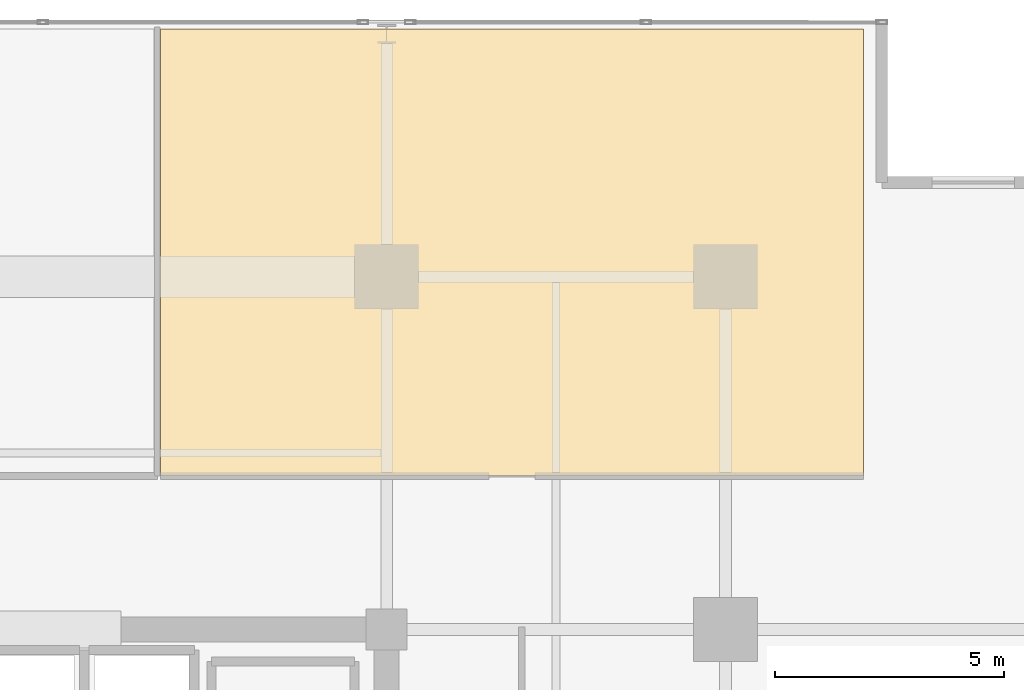
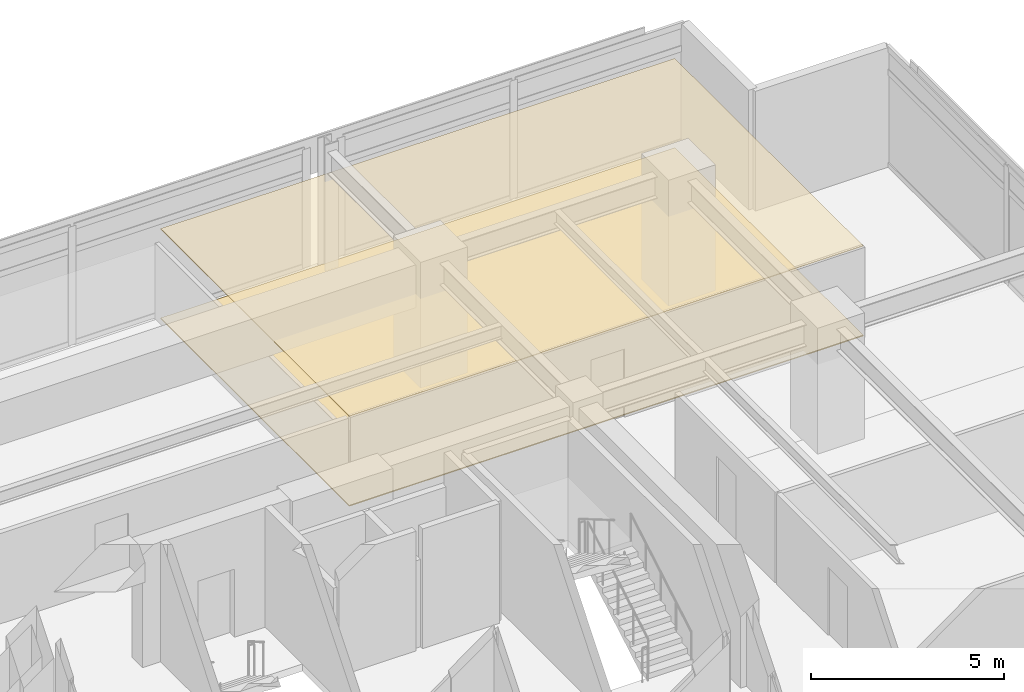
# One storey, part 22 of 22: 2 coverings.
"""IFC4 building model written with IfcOpenShell, lengths in metres."""

from ifc_helpers import new_model, si_unit, direction, frame, origin, place, context, subcontext, project, spatial, polyline, outline, extrude, material, layer, layer_set, type_object, element, save


model = new_model("IFC4")

# Units and contexts
model_context = context("Model", 3, precision=1e-05, world=origin(), true_north=direction((0.0, 1.0)))
body_context = subcontext(model_context, "Body", "Model", "MODEL_VIEW")
ifc_project = project(units=[si_unit("LENGTHUNIT", "METRE"), si_unit("AREAUNIT", "SQUARE_METRE"), si_unit("VOLUMEUNIT", "CUBIC_METRE"), si_unit("PLANEANGLEUNIT", "RADIAN"), si_unit("MASSUNIT", "GRAM", prefix="KILO")], contexts=[model_context])

# Site, building, storey
site_placement = place(None, origin())
site = spatial("IfcSite", under=ifc_project, at=site_placement, CompositionType="ELEMENT")
building_placement = place(site_placement, origin())
building = spatial("IfcBuilding", under=site, at=building_placement, Name="Kovane Verandah Tower", CompositionType="ELEMENT")
storey_placement = place(building_placement, frame((0.0, 0.0, 225.199951171875)))
storey = spatial("IfcBuildingStorey", under=building, at=storey_placement, Name="L52", CompositionType="ELEMENT", Elevation=225.199951171875)

# Coverings
ifc_material_1 = material(Name="Perforated Acoustic Mineral-Fibre Ceiling Tile", Category="gypsum")
ifc_layer_1 = layer(ifc_material_1, 0.02490234375)
ifc_layer_set_1 = layer_set([ifc_layer_1], Name="Perforated Acoustic Mineral-Fibre Ceiling Tile")
covering_type_1 = type_object("IfcCoveringType", Name="CV-CEIL-25", PredefinedType="CEILING", material=ifc_layer_set_1)
covering_1_placement = place(storey_placement, frame((0.0, 0.0, 2.824951171875)))
element("IfcCovering", 1, at=covering_1_placement, inside=storey, type_object=covering_type_1, Name="L52 Focus Studio N3 Acoustic Ceiling", PredefinedType="CEILING", context=body_context, shape_type="SweptSolid", body=[
    extrude(outline(polyline([(46.064697265625, 39.85009765625), (61.40966796875, 39.85009765625), (61.40966796875, 49.606201171875), (46.064697265625, 49.606201171875), (46.064697265625, 39.85009765625)])), origin(), (0.0, 0.0, 1.0), 0.025146484375),
])
ifc_material_2 = material(Name="Polished Terrazzo and Raised-Access Carpet Tile Finish", Category="concrete")
ifc_layer_2 = layer(ifc_material_2, 0.030029296875)
ifc_layer_set_2 = layer_set([ifc_layer_2], Name="Polished Terrazzo and Raised-Access Carpet Tile Finish")
covering_type_2 = type_object("IfcCoveringType", Name="CV-FLOR-30", PredefinedType="FLOORING", material=ifc_layer_set_2)
covering_2_placement = place(storey_placement, origin())
element("IfcCovering", 2, at=covering_2_placement, inside=storey, type_object=covering_type_2, Name="L52 Focus Studio N3 Floor Finish", PredefinedType="FLOORING", context=body_context, shape_type="SweptSolid", body=[
    extrude(outline(polyline([(46.064697265625, 39.85009765625), (61.40966796875, 39.85009765625), (61.40966796875, 49.606201171875), (46.064697265625, 49.606201171875), (46.064697265625, 39.85009765625)])), origin(), (0.0, 0.0, 1.0), 0.030029296875),
])

save(model, "model.ifc")
